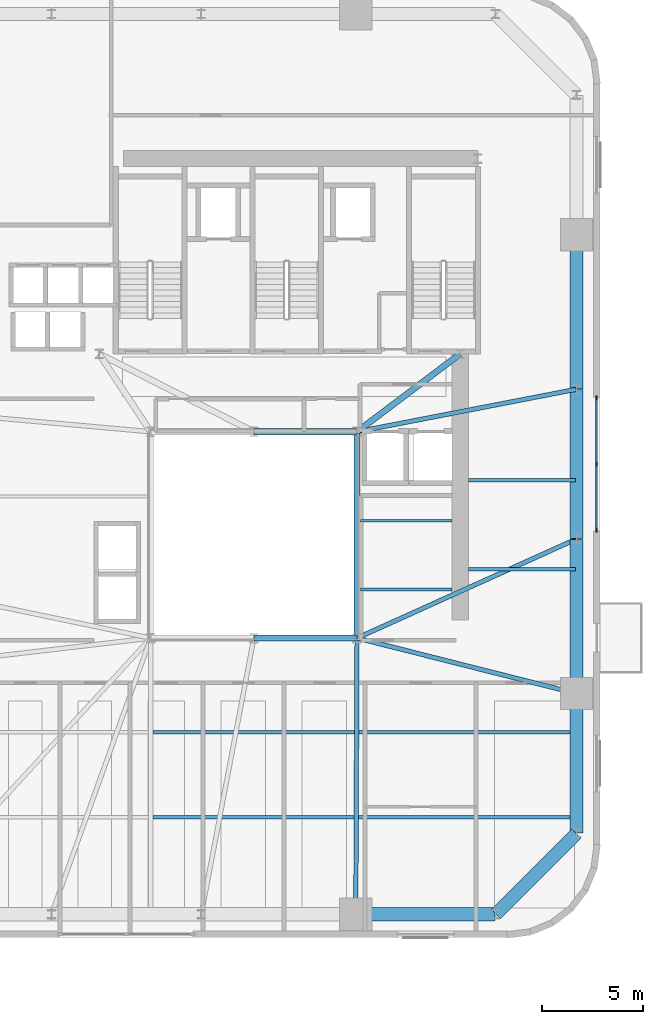
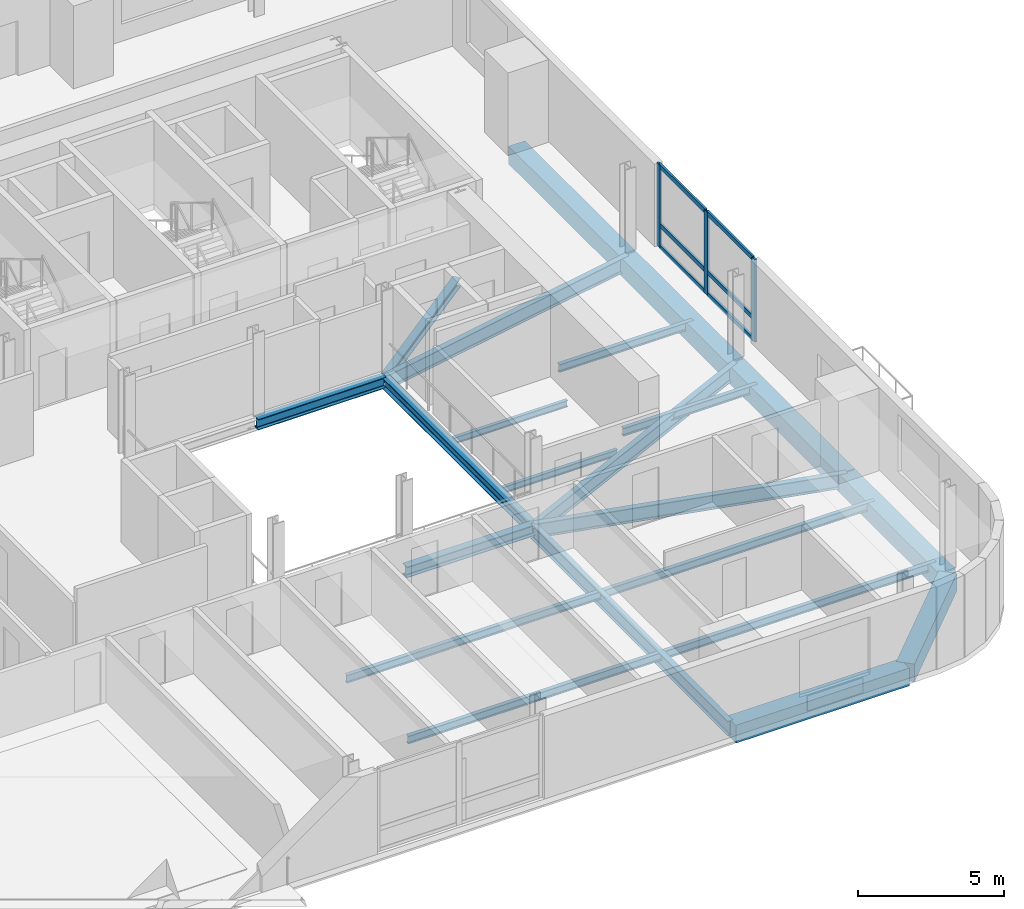
# One storey, part 3 of 14: 20 beams, 9 members, 1 element without a shape of its own.
"""IFC4 building model written with IfcOpenShell, lengths in metres."""

from ifc_helpers import new_model, si_unit, direction, frame, origin, origin_2d, place, context, subcontext, project, spatial, rectangle, i_section, extrude, source, transform, mapped, material, material_profile, profile_set, type_object, element, aggregate, save


model = new_model("IFC4")

# Units and contexts
model_context = context("Model", 3, precision=1e-05, world=origin(), true_north=direction((0.0, 1.0)))
body_context = subcontext(model_context, "Body", "Model", "MODEL_VIEW")
ifc_project = project(units=[si_unit("LENGTHUNIT", "METRE"), si_unit("AREAUNIT", "SQUARE_METRE"), si_unit("VOLUMEUNIT", "CUBIC_METRE"), si_unit("PLANEANGLEUNIT", "RADIAN"), si_unit("MASSUNIT", "GRAM", prefix="KILO")], contexts=[model_context])

# Site, building, storey
site_placement = place(None, origin())
site = spatial("IfcSite", under=ifc_project, at=site_placement, CompositionType="ELEMENT")
building_placement = place(site_placement, origin())
building = spatial("IfcBuilding", under=site, at=building_placement, Name="Vardaveli Station Tower", CompositionType="ELEMENT")
storey_placement = place(building_placement, frame((0.0, 0.0, 140.89990234375)))
storey = spatial("IfcBuildingStorey", under=building, at=storey_placement, Name="L36", CompositionType="ELEMENT", Elevation=140.89990234375)

# Beams
ifc_material_1 = material(Name="Structural steel S355J2", Category="steel")
ifc_material_profile_1 = material_profile(ifc_material_1, i_section(OverallWidth=0.300048828125, OverallDepth=0.449951171875, WebThickness=0.013916015625, FlangeThickness=0.02587890625, FilletRadius=0.027099609375, at=origin_2d()), Name="HEB 450")
ifc_profile_set_1 = profile_set([ifc_material_profile_1], Name="Structural steel S355J2")
beam_type_1 = type_object("IfcBeamType", Name="BM-HEB450", PredefinedType="BEAM", material=ifc_profile_set_1)
shared_shape_1 = source(origin(), body_context, "Body", "SweptSolid", [
    extrude(i_section(OverallWidth=0.300048828125, OverallDepth=0.449951171875, WebThickness=0.013916015625, FlangeThickness=0.02587890625, FilletRadius=0.027099609375, at=origin_2d()), origin(), (0.0, 0.0, 1.0), 5.059814453125),
])
for number, where, z_axis, x_axis, name in (
    (1, (36.320068359375, 16.60009765625, -0.46484375), (1.0, 0.0, 0.0), (0.0, 1.0, 0.0), "ABM-L36-02"),
    (2, (41.3798828125, 26.800048828125, -0.46484375), (-1.0, 0.0, 0.0), (0.0, -1.0, 0.0), "ABM-L36-04"),
):
    element("IfcBeam", number, at=place(storey_placement, frame(where, z_axis=z_axis, x_axis=x_axis)), inside=storey, type_object=beam_type_1, Name=name, PredefinedType="BEAM", context=body_context, shape_type="MappedRepresentation", body=[
        mapped(shared_shape_1, transform((0.0, 0.0, 0.0), scale=1.0)),
    ])
shared_shape_2 = source(origin(), body_context, "Body", "SweptSolid", [
    extrude(i_section(OverallWidth=0.300048828125, OverallDepth=0.449951171875, WebThickness=0.013916015625, FlangeThickness=0.02587890625, FilletRadius=0.027099609375, at=origin_2d()), origin(), (0.0, 0.0, 1.0), 10.159912109375),
])
beam_1_placement = place(storey_placement, frame((41.39990234375, 16.6201171875, -0.46484375), z_axis=(0.0, 1.0, 0.0), x_axis=(-1.0, 0.0, 0.0)))
element("IfcBeam", 3, at=beam_1_placement, inside=storey, type_object=beam_type_1, Name="ABM-L36-03", PredefinedType="BEAM", context=body_context, shape_type="MappedRepresentation", body=[
    mapped(shared_shape_2, transform((0.0, 0.0, 0.0), scale=1.0)),
])
ifc_material_profile_2 = material_profile(ifc_material_1, i_section(OverallWidth=0.300048828125, OverallDepth=0.360107421875, WebThickness=0.012451171875, FlangeThickness=0.0224609375, FilletRadius=0.027099609375, at=origin_2d()), Name="HEB 360")
ifc_profile_set_2 = profile_set([ifc_material_profile_2], Name="Structural steel S355J2")
beam_type_2 = type_object("IfcBeamType", Name="BM-HEB360", PredefinedType="BEAM", material=ifc_profile_set_2)
shared_shape_3 = source(origin(), body_context, "Body", "SweptSolid", [
    extrude(i_section(OverallWidth=0.300048828125, OverallDepth=0.360107421875, WebThickness=0.012451171875, FlangeThickness=0.0224609375, FilletRadius=0.027099609375, at=origin_2d()), origin(), (0.0, 0.0, 1.0), 6.35009765625),
])
beam_2_placement = place(storey_placement, frame((41.416015625, 26.81201171875, -0.419921875), z_axis=(0.798118337722, 0.602500721154, 0.0), x_axis=(-0.602500721154, 0.798118337722, 0.0)))
element("IfcBeam", 4, at=beam_2_placement, inside=storey, type_object=beam_type_2, Name="CBM-L36-02", PredefinedType="BEAM", context=body_context, shape_type="MappedRepresentation", body=[
    mapped(shared_shape_3, transform((0.0, 0.0, 0.0), scale=1.0)),
])
ifc_material_2 = material(Name="Precast concrete C45/55", Category="concrete")
ifc_material_profile_3 = material_profile(ifc_material_2, rectangle(XDim=0.64990234375, YDim=0.75, at=origin_2d()), Name="LPB 650x750")
ifc_profile_set_3 = profile_set([ifc_material_profile_3], Name="Precast concrete C45/55")
beam_type_3 = type_object("IfcBeamType", Name="BM-LPB-750", PredefinedType="BEAM", material=ifc_profile_set_3)
shared_shape_4 = source(origin(), body_context, "Body", "SweptSolid", [
    extrude(rectangle(XDim=0.64990234375, YDim=0.75, at=origin_2d()), origin(), (0.0, 0.0, 1.0), 7.60009765625),
])
for number, where, z_axis, x_axis, name in (
    (5, (52.25, 13.8798828125, -0.614990234375), (0.0, 1.0, 0.0), (-1.0, 0.0, 0.0), "RBM-L36-07"),
    (6, (52.25, 28.919921875, -0.614990234375), (0.0, 1.0, 0.0), (-1.0, 0.0, 0.0), "RBM-L36-09"),
):
    element("IfcBeam", number, at=place(storey_placement, frame(where, z_axis=z_axis, x_axis=x_axis)), inside=storey, type_object=beam_type_3, Name=name, PredefinedType="BEAM", context=body_context, shape_type="MappedRepresentation", body=[
        mapped(shared_shape_4, transform((0.0, 0.0, 0.0), scale=1.0)),
    ])
shared_shape_5 = source(origin(), body_context, "Body", "SweptSolid", [
    extrude(rectangle(XDim=0.64990234375, YDim=0.75, at=origin_2d()), origin(), (0.0, 0.0, 1.0), 7.35986328125),
])
beam_3_placement = place(storey_placement, frame((52.25, 21.52001953125, -0.614990234375), z_axis=(0.0, 1.0, 0.0), x_axis=(-1.0, 0.0, 0.0)))
element("IfcBeam", 7, at=beam_3_placement, inside=storey, type_object=beam_type_3, Name="RBM-L36-08", PredefinedType="BEAM", context=body_context, shape_type="MappedRepresentation", body=[
    mapped(shared_shape_5, transform((0.0, 0.0, 0.0), scale=1.0)),
])
shared_shape_6 = source(origin(), body_context, "Body", "SweptSolid", [
    extrude(rectangle(XDim=0.64990234375, YDim=0.75, at=origin_2d()), origin(), (0.0, 0.0, 1.0), 6.869873046875),
])
beam_4_placement = place(storey_placement, frame((41.360107421875, 2.949951171875, -0.614990234375), z_axis=(1.0, 0.0, 0.0), x_axis=(0.0, 1.0, 0.0)))
element("IfcBeam", 8, at=beam_4_placement, inside=storey, type_object=beam_type_3, Name="RBM-L36-04", PredefinedType="BEAM", context=body_context, shape_type="MappedRepresentation", body=[
    mapped(shared_shape_6, transform((0.0, 0.0, 0.0), scale=1.0)),
])
shared_shape_7 = source(origin(), body_context, "Body", "SweptSolid", [
    extrude(rectangle(XDim=0.64990234375, YDim=0.75, at=origin_2d()), origin(), (0.0, 0.0, 1.0), 5.61669921875),
])
beam_5_placement = place(storey_placement, frame((48.26416015625, 2.964111328125, -0.614990234375), z_axis=(0.707106781187, 0.707106781187, 0.0), x_axis=(-0.707106781187, 0.707106781187, 0.0)))
element("IfcBeam", 9, at=beam_5_placement, inside=storey, type_object=beam_type_3, Name="RBM-L36-05", PredefinedType="BEAM", context=body_context, shape_type="MappedRepresentation", body=[
    mapped(shared_shape_7, transform((0.0, 0.0, 0.0), scale=1.0)),
])
shared_shape_8 = source(origin(), body_context, "Body", "SweptSolid", [
    extrude(rectangle(XDim=0.64990234375, YDim=0.75, at=origin_2d()), origin(), (0.0, 0.0, 1.0), 6.8701171875),
])
beam_6_placement = place(storey_placement, frame((52.25, 6.969970703125, -0.614990234375), z_axis=(0.0, 1.0, 0.0), x_axis=(-1.0, 0.0, 0.0)))
element("IfcBeam", 10, at=beam_6_placement, inside=storey, type_object=beam_type_3, Name="RBM-L36-06", PredefinedType="BEAM", context=body_context, shape_type="MappedRepresentation", body=[
    mapped(shared_shape_8, transform((0.0, 0.0, 0.0), scale=1.0)),
])
ifc_material_profile_4 = material_profile(ifc_material_1, i_section(OverallWidth=0.159912109375, OverallDepth=0.330078125, WebThickness=0.007568359375, FlangeThickness=0.011474609375, FilletRadius=0.01806640625, at=origin_2d()), Name="IPE 330")
ifc_profile_set_4 = profile_set([ifc_material_profile_4], Name="Structural steel S355J2")
beam_type_4 = type_object("IfcBeamType", Name="BM-IPE330", PredefinedType="JOIST", material=ifc_profile_set_4)
shared_shape_9 = source(origin(), body_context, "Body", "SweptSolid", [
    extrude(i_section(OverallWidth=0.159912109375, OverallDepth=0.330078125, WebThickness=0.007568359375, FlangeThickness=0.011474609375, FilletRadius=0.01806640625, at=origin_2d()), origin(), (0.0, 0.0, 1.0), 20.89794921875),
])
for number, where, z_axis, x_axis, name in (
    (11, (31.31201171875, 7.75, -0.40478515625), (1.0, 0.0, 0.0), (0.0, 1.0, 0.0), "SJ-L36-S02"),
    (12, (31.31201171875, 11.949951171875, -0.40478515625), (1.0, 0.0, 0.0), (0.0, 1.0, 0.0), "SJ-L36-S04"),
):
    element("IfcBeam", number, at=place(storey_placement, frame(where, z_axis=z_axis, x_axis=x_axis)), inside=storey, type_object=beam_type_4, Name=name, PredefinedType="JOIST", context=body_context, shape_type="MappedRepresentation", body=[
        mapped(shared_shape_9, transform((0.0, 0.0, 0.0), scale=1.0)),
    ])
shared_shape_10 = source(origin(), body_context, "Body", "SweptSolid", [
    extrude(i_section(OverallWidth=0.159912109375, OverallDepth=0.330078125, WebThickness=0.007568359375, FlangeThickness=0.011474609375, FilletRadius=0.01806640625, at=origin_2d()), origin(), (0.0, 0.0, 1.0), 5.304931640625),
])
for number, where, z_axis, x_axis, name in (
    (13, (46.905029296875, 20.0, -0.40478515625), (1.0, 0.0, 0.0), (0.0, 1.0, 0.0), "SJ-L36-E07"),
    (14, (46.905029296875, 24.39990234375, -0.40478515625), (1.0, 0.0, 0.0), (0.0, 1.0, 0.0), "SJ-L36-E08"),
):
    element("IfcBeam", number, at=place(storey_placement, frame(where, z_axis=z_axis, x_axis=x_axis)), inside=storey, type_object=beam_type_4, Name=name, PredefinedType="JOIST", context=body_context, shape_type="MappedRepresentation", body=[
        mapped(shared_shape_10, transform((0.0, 0.0, 0.0), scale=1.0)),
    ])
ifc_material_profile_5 = material_profile(ifc_material_1, i_section(OverallWidth=0.135009765625, OverallDepth=0.27001953125, WebThickness=0.006591796875, FlangeThickness=0.01025390625, FilletRadius=0.014892578125, at=origin_2d()), Name="IPE 270")
ifc_profile_set_5 = profile_set([ifc_material_profile_5], Name="Structural steel S355J2")
beam_type_5 = type_object("IfcBeamType", Name="BM-IPE270", PredefinedType="BEAM", material=ifc_profile_set_5)
shared_shape_11 = source(origin(), body_context, "Body", "SweptSolid", [
    extrude(i_section(OverallWidth=0.135009765625, OverallDepth=0.27001953125, WebThickness=0.006591796875, FlangeThickness=0.01025390625, FilletRadius=0.014892578125, at=origin_2d()), origin(), (0.0, 0.0, 1.0), 4.530029296875),
])
for number, where, z_axis, x_axis, name in (
    (15, (41.56494140625, 19.0, -0.375), (1.0, 0.0, 0.0), (0.0, 1.0, 0.0), "TJ-L36-01"),
    (16, (41.56494140625, 22.39990234375, -0.375), (1.0, 0.0, 0.0), (0.0, 1.0, 0.0), "TJ-L36-02"),
):
    element("IfcBeam", number, at=place(storey_placement, frame(where, z_axis=z_axis, x_axis=x_axis)), inside=storey, type_object=beam_type_5, Name=name, PredefinedType="BEAM", context=body_context, shape_type="MappedRepresentation", body=[
        mapped(shared_shape_11, transform((0.0, 0.0, 0.0), scale=1.0)),
    ])
ifc_material_profile_6 = material_profile(ifc_material_1, i_section(OverallWidth=0.219970703125, OverallDepth=0.60009765625, WebThickness=0.011962890625, FlangeThickness=0.01904296875, FilletRadius=0.02392578125, at=origin_2d()), Name="IPE 600")
ifc_profile_set_6 = profile_set([ifc_material_profile_6], Name="Structural steel S355J2")
beam_type_6 = type_object("IfcBeamType", Name="BM-IPE600", PredefinedType="BEAM", material=ifc_profile_set_6)
shared_shape_12 = source(origin(), body_context, "Body", "SweptSolid", [
    extrude(i_section(OverallWidth=0.219970703125, OverallDepth=0.60009765625, WebThickness=0.011962890625, FlangeThickness=0.01904296875, FilletRadius=0.02392578125, at=origin_2d()), origin(), (0.0, 0.0, 1.0), 13.6103515625),
])
beam_7_placement = place(storey_placement, frame((41.340087890625, 2.969970703125, -0.539794921875), z_axis=(0.004394812886, 0.999990342763, 0.0), x_axis=(-0.999990342763, 0.004394812886, 0.0)))
element("IfcBeam", 17, at=beam_7_placement, inside=storey, type_object=beam_type_6, Name="GBM-L36-04", PredefinedType="BEAM", context=body_context, shape_type="MappedRepresentation", body=[
    mapped(shared_shape_12, transform((0.0, 0.0, 0.0), scale=1.0)),
])
shared_shape_13 = source(origin(), body_context, "Body", "SweptSolid", [
    extrude(i_section(OverallWidth=0.219970703125, OverallDepth=0.60009765625, WebThickness=0.011962890625, FlangeThickness=0.01904296875, FilletRadius=0.02392578125, at=origin_2d()), origin(), (0.0, 0.0, 1.0), 11.150634765625),
])
beam_8_placement = place(storey_placement, frame((52.230712890625, 13.864990234375, -0.539794921875), z_axis=(-0.969561465826, 0.244848042642, 0.0), x_axis=(-0.244848042642, -0.969561465826, 0.0)))
element("IfcBeam", 18, at=beam_8_placement, inside=storey, type_object=beam_type_6, Name="GBM-L36-05", PredefinedType="BEAM", context=body_context, shape_type="MappedRepresentation", body=[
    mapped(shared_shape_13, transform((0.0, 0.0, 0.0), scale=1.0)),
])
shared_shape_14 = source(origin(), body_context, "Body", "SweptSolid", [
    extrude(i_section(OverallWidth=0.219970703125, OverallDepth=0.60009765625, WebThickness=0.011962890625, FlangeThickness=0.01904296875, FilletRadius=0.02392578125, at=origin_2d()), origin(), (0.0, 0.0, 1.0), 11.864990234375),
])
beam_9_placement = place(storey_placement, frame((52.231689453125, 21.49169921875, -0.539794921875), z_axis=(-0.911369354756, -0.411589478985, 0.0), x_axis=(0.411589478985, -0.911369354756, 0.0)))
element("IfcBeam", 19, at=beam_9_placement, inside=storey, type_object=beam_type_6, Name="GBM-L36-06", PredefinedType="BEAM", context=body_context, shape_type="MappedRepresentation", body=[
    mapped(shared_shape_14, transform((0.0, 0.0, 0.0), scale=1.0)),
])
shared_shape_15 = source(origin(), body_context, "Body", "SweptSolid", [
    extrude(i_section(OverallWidth=0.219970703125, OverallDepth=0.60009765625, WebThickness=0.011962890625, FlangeThickness=0.01904296875, FilletRadius=0.02392578125, at=origin_2d()), origin(), (0.0, 0.0, 1.0), 11.011474609375),
])
beam_10_placement = place(storey_placement, frame((52.23046875, 28.896240234375, -0.539794921875), z_axis=(-0.981777849093, -0.190032247343, 0.0), x_axis=(0.190032247343, -0.981777849093, 0.0)))
element("IfcBeam", 20, at=beam_10_placement, inside=storey, type_object=beam_type_6, Name="GBM-L36-07", PredefinedType="BEAM", context=body_context, shape_type="MappedRepresentation", body=[
    mapped(shared_shape_15, transform((0.0, 0.0, 0.0), scale=1.0)),
])

# Curtain wall, members
ifc_material_3 = material(Name="Travertine stone and solar-control glass", Category="masonry")
curtain_wall_type = type_object("IfcCurtainWallType", Name="CW-SYS-2", PredefinedType="NOTDEFINED", material=ifc_material_3)
curtain_wall_placement = place(storey_placement, origin())
curtain_wall = element("IfcCurtainWall", 21, at=curtain_wall_placement, inside=storey, type_object=curtain_wall_type, Name="CW-L36-E", PredefinedType="NOTDEFINED")
ifc_material_4 = material(Name="Anodised aluminium alloy 6063-T6", Category="aluminium")
ifc_material_profile_7 = material_profile(ifc_material_4, rectangle(XDim=0.0849609375, YDim=0.179931640625, at=origin_2d()), Name="CWT 85x180")
ifc_profile_set_7 = profile_set([ifc_material_profile_7], Name="Anodised aluminium alloy 6063-T6")
member_type_1 = type_object("IfcMemberType", Name="CW-SYS-2-TRAN", PredefinedType="NOTDEFINED", material=ifc_profile_set_7)
shared_shape_16 = source(origin(), body_context, "Body", "SweptSolid", [
    extrude(rectangle(XDim=0.0849609375, YDim=0.179931640625, at=origin_2d()), origin(), (0.0, 0.0, 1.0), 3.172607421875),
])
member_1_placement = place(storey_placement, frame((53.239990234375, 25.242431640625, 0.04248046875), z_axis=(0.0, 1.0, 0.0), x_axis=(-1.0, 0.0, 0.0)))
member_1 = element("IfcMember", 22, at=member_1_placement, type_object=member_type_1, Name="CW-2 transom 2.1", ObjectType="TRANSOM", PredefinedType="USERDEFINED", context=body_context, shape_type="MappedRepresentation", body=[
    mapped(shared_shape_16, transform((0.0, 0.0, 0.0), scale=1.0)),
])
member_2_placement = place(storey_placement, frame((53.239990234375, 25.242431640625, 0.9501953125), z_axis=(0.0, 1.0, 0.0), x_axis=(-1.0, 0.0, 0.0)))
member_2 = element("IfcMember", 23, at=member_2_placement, type_object=member_type_1, Name="CW-2 transom 2.2", ObjectType="TRANSOM", PredefinedType="USERDEFINED", context=body_context, shape_type="MappedRepresentation", body=[
    mapped(shared_shape_16, transform((0.0, 0.0, 0.0), scale=1.0)),
])
member_3_placement = place(storey_placement, frame((53.239990234375, 25.242431640625, 3.41748046875), z_axis=(0.0, 1.0, 0.0), x_axis=(-1.0, 0.0, 0.0)))
member_3 = element("IfcMember", 24, at=member_3_placement, type_object=member_type_1, Name="CW-2 transom 2.3", ObjectType="TRANSOM", PredefinedType="USERDEFINED", context=body_context, shape_type="MappedRepresentation", body=[
    mapped(shared_shape_16, transform((0.0, 0.0, 0.0), scale=1.0)),
])
shared_shape_17 = source(origin(), body_context, "Body", "SweptSolid", [
    extrude(rectangle(XDim=0.0849609375, YDim=0.179931640625, at=origin_2d()), origin(), (0.0, 0.0, 1.0), 3.17236328125),
])
member_4_placement = place(storey_placement, frame((53.239990234375, 21.985107421875, 0.04248046875), z_axis=(0.0, 1.0, 0.0), x_axis=(-1.0, 0.0, 0.0)))
member_4 = element("IfcMember", 25, at=member_4_placement, type_object=member_type_1, Name="CW-2 transom 1.1", ObjectType="TRANSOM", PredefinedType="USERDEFINED", context=body_context, shape_type="MappedRepresentation", body=[
    mapped(shared_shape_17, transform((0.0, 0.0, 0.0), scale=1.0)),
])
member_5_placement = place(storey_placement, frame((53.239990234375, 21.985107421875, 0.9501953125), z_axis=(0.0, 1.0, 0.0), x_axis=(-1.0, 0.0, 0.0)))
member_5 = element("IfcMember", 26, at=member_5_placement, type_object=member_type_1, Name="CW-2 transom 1.2", ObjectType="TRANSOM", PredefinedType="USERDEFINED", context=body_context, shape_type="MappedRepresentation", body=[
    mapped(shared_shape_17, transform((0.0, 0.0, 0.0), scale=1.0)),
])
member_6_placement = place(storey_placement, frame((53.239990234375, 21.985107421875, 3.41748046875), z_axis=(0.0, 1.0, 0.0), x_axis=(-1.0, 0.0, 0.0)))
member_6 = element("IfcMember", 27, at=member_6_placement, type_object=member_type_1, Name="CW-2 transom 1.3", ObjectType="TRANSOM", PredefinedType="USERDEFINED", context=body_context, shape_type="MappedRepresentation", body=[
    mapped(shared_shape_17, transform((0.0, 0.0, 0.0), scale=1.0)),
])
ifc_material_profile_8 = material_profile(ifc_material_4, rectangle(XDim=0.0849609375, YDim=0.219970703125, at=origin_2d()), Name="CWM 85x220")
ifc_profile_set_8 = profile_set([ifc_material_profile_8], Name="Anodised aluminium alloy 6063-T6")
member_type_2 = type_object("IfcMemberType", Name="CW-SYS-2-MULL", PredefinedType="MULLION", material=ifc_profile_set_8)
shared_shape_18 = source(origin(), body_context, "Body", "SweptSolid", [
    extrude(rectangle(XDim=0.0849609375, YDim=0.219970703125, at=origin_2d()), origin(), (0.0, 0.0, 1.0), 3.460205078125),
])
member_7_placement = place(storey_placement, frame((53.239990234375, 21.9423828125, 0.0), z_axis=(0.0, 0.0, 1.0), x_axis=(-1.0, 0.0, 0.0)))
member_7 = element("IfcMember", 28, at=member_7_placement, type_object=member_type_2, Name="CW-2 mullion 1", PredefinedType="MULLION", context=body_context, shape_type="MappedRepresentation", body=[
    mapped(shared_shape_18, transform((0.0, 0.0, 0.0), scale=1.0)),
])
member_8_placement = place(storey_placement, frame((53.239990234375, 25.199951171875, 0.0), z_axis=(0.0, 0.0, 1.0), x_axis=(-1.0, 0.0, 0.0)))
member_8 = element("IfcMember", 29, at=member_8_placement, type_object=member_type_2, Name="CW-2 mullion 2", PredefinedType="MULLION", context=body_context, shape_type="MappedRepresentation", body=[
    mapped(shared_shape_18, transform((0.0, 0.0, 0.0), scale=1.0)),
])
member_9_placement = place(storey_placement, frame((53.239990234375, 28.45751953125, 0.0), z_axis=(0.0, 0.0, 1.0), x_axis=(-1.0, 0.0, 0.0)))
member_9 = element("IfcMember", 30, at=member_9_placement, type_object=member_type_2, Name="CW-2 mullion 3", PredefinedType="MULLION", context=body_context, shape_type="MappedRepresentation", body=[
    mapped(shared_shape_18, transform((0.0, 0.0, 0.0), scale=1.0)),
])
aggregate(curtain_wall, [member_7, member_8, member_9, member_4, member_5, member_6, member_1, member_2, member_3])

save(model, "model.ifc")
